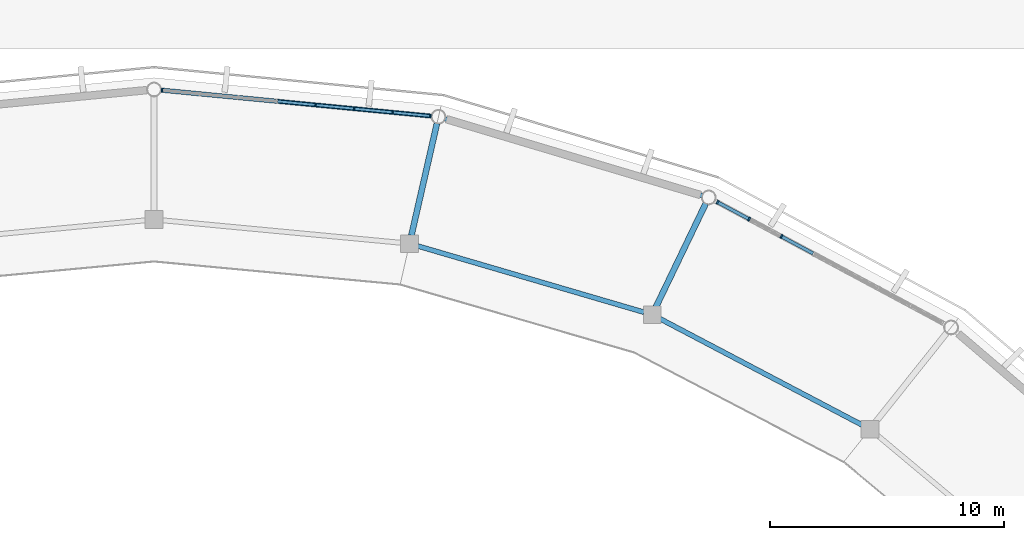
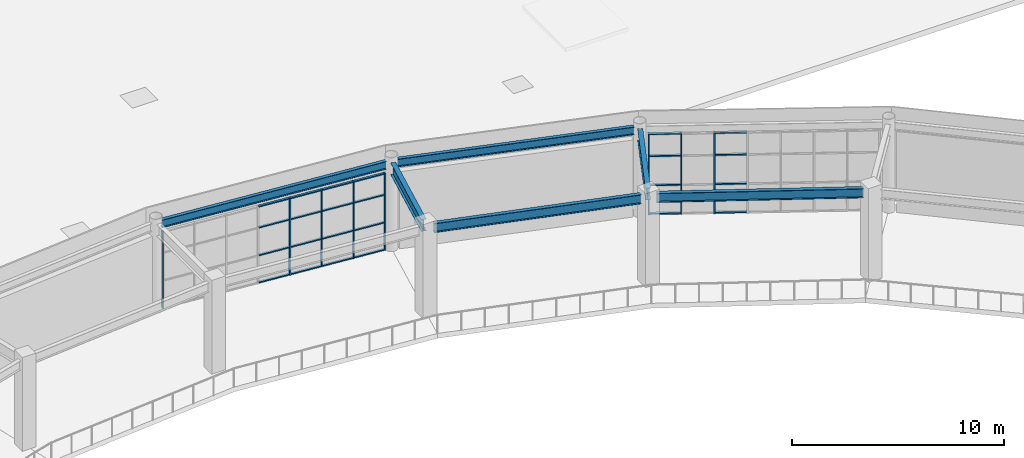
# One storey, part 31 of 70: 32 members, 6 beams, 2 elements without a shape of their own.
"""IFC4 building model written with IfcOpenShell, lengths in metres."""

from ifc_helpers import new_model, si_unit, direction, frame, origin, origin_2d, place, context, subcontext, project, spatial, rectangle, i_section, extrude, material, material_profile, profile_set, type_object, element, aggregate, save


model = new_model("IFC4")

# Units and contexts
model_context = context("Model", 3, precision=1e-05, world=origin(), true_north=direction((0.0, 1.0)))
body_context = subcontext(model_context, "Body", "Model", "MODEL_VIEW")
ifc_project = project(units=[si_unit("LENGTHUNIT", "METRE"), si_unit("AREAUNIT", "SQUARE_METRE"), si_unit("VOLUMEUNIT", "CUBIC_METRE"), si_unit("PLANEANGLEUNIT", "RADIAN"), si_unit("MASSUNIT", "GRAM", prefix="KILO")], contexts=[model_context])

# Site, building, storey
site_placement = place(None, origin())
site = spatial("IfcSite", under=ifc_project, at=site_placement, CompositionType="ELEMENT")
building_placement = place(site_placement, origin())
building = spatial("IfcBuilding", under=site, at=building_placement, Name="Cuetzalor Civic Arena", CompositionType="ELEMENT")
storey_placement = place(building_placement, frame((0.0, 0.0, 21.0)))
storey = spatial("IfcBuildingStorey", under=building, at=storey_placement, Name="L04", CompositionType="ELEMENT", Elevation=21.0)

# Curtain wall, members
ifc_material_1 = material(Name="Anodised dark bronze aluminium and low-E solar glass", Category="aluminium")
curtain_wall_type_1 = type_object("IfcCurtainWallType", Name="UnitisedCW_11550x4450", PredefinedType="USERDEFINED", material=ifc_material_1)
curtain_wall_1_placement = place(storey_placement, origin())
curtain_wall_1 = element("IfcCurtainWall", 1, at=curtain_wall_1_placement, inside=storey, type_object=curtain_wall_type_1, Name="Drum Triangle Foyer Curtain Wall L04-059", ObjectType="UNITISED CURTAIN WALL", PredefinedType="USERDEFINED")
ifc_material_2 = material(Name="Anodised dark bronze aluminium", Category="aluminium")
ifc_material_profile_1 = material_profile(ifc_material_2, rectangle(XDim=0.06494140625, YDim=0.14990234375, at=origin_2d()), Name="ALU MULLION 65x150")
ifc_profile_set_1 = profile_set([ifc_material_profile_1], Name="Anodised dark bronze aluminium")
member_type_1 = type_object("IfcMemberType", Name="CurtainWallMullion_60x150", PredefinedType="MULLION", material=ifc_profile_set_1)
member_1_placement = place(storey_placement, frame((0.345703125, 46.516845703125, 0.0), z_axis=(0.0, 0.0, 1.0), x_axis=(0.995409139996, -0.095711253324, 0.0)))
member_1 = element("IfcMember", 2, at=member_1_placement, type_object=member_type_1, Name="CW-08 mullion 1", PredefinedType="MULLION", context=body_context, shape_type="SweptSolid", body=[
    extrude(rectangle(XDim=0.06494140625, YDim=0.14990234375, at=origin_2d()), origin(), (0.0, 0.0, 1.0), 4.431884765625),
])
member_2_placement = place(storey_placement, frame((6.8916015625, 45.887451171875, 0.0), z_axis=(0.0, 0.0, 1.0), x_axis=(0.995409139996, -0.095711253324, 0.0)))
member_2 = element("IfcMember", 3, at=member_2_placement, type_object=member_type_1, Name="CW-08 mullion 5", PredefinedType="MULLION", context=body_context, shape_type="SweptSolid", body=[
    extrude(rectangle(XDim=0.06494140625, YDim=0.14990234375, at=origin_2d()), origin(), (0.0, 0.0, 1.0), 4.431884765625),
])
member_3_placement = place(storey_placement, frame((8.5361328125, 45.729248046875, 0.0), z_axis=(0.0, 0.0, 1.0), x_axis=(0.995409139996, -0.095711253324, 0.0)))
member_3 = element("IfcMember", 4, at=member_3_placement, type_object=member_type_1, Name="CW-08 mullion 6", PredefinedType="MULLION", context=body_context, shape_type="SweptSolid", body=[
    extrude(rectangle(XDim=0.06494140625, YDim=0.14990234375, at=origin_2d()), origin(), (0.0, 0.0, 1.0), 4.431884765625),
])
member_4_placement = place(storey_placement, frame((10.1806640625, 45.571044921875, 0.0), z_axis=(0.0, 0.0, 1.0), x_axis=(0.995409139996, -0.095711253324, 0.0)))
member_4 = element("IfcMember", 5, at=member_4_placement, type_object=member_type_1, Name="CW-08 mullion 7", PredefinedType="MULLION", context=body_context, shape_type="SweptSolid", body=[
    extrude(rectangle(XDim=0.06494140625, YDim=0.14990234375, at=origin_2d()), origin(), (0.0, 0.0, 1.0), 4.431884765625),
])
member_5_placement = place(storey_placement, frame((11.79296875, 45.416015625, 0.0), z_axis=(0.0, 0.0, 1.0), x_axis=(0.995409139996, -0.095711253324, 0.0)))
member_5 = element("IfcMember", 6, at=member_5_placement, type_object=member_type_1, Name="CW-08 mullion 8", PredefinedType="MULLION", context=body_context, shape_type="SweptSolid", body=[
    extrude(rectangle(XDim=0.06494140625, YDim=0.14990234375, at=origin_2d()), origin(), (0.0, 0.0, 1.0), 4.431884765625),
])

ifc_material_3 = material(Name="Anodised dark bronze aluminium and low-E solar glass", Category="aluminium")
curtain_wall_type_2 = type_object("IfcCurtainWallType", Name="UnitisedCW_10950x4650", PredefinedType="USERDEFINED", material=ifc_material_3)
curtain_wall_2_placement = place(storey_placement, origin())
curtain_wall_2 = element("IfcCurtainWall", 7, at=curtain_wall_2_placement, inside=storey, type_object=curtain_wall_type_2, Name="Drum Triangle Foyer Curtain Wall L04-058", ObjectType="UNITISED CURTAIN WALL", PredefinedType="USERDEFINED")
ifc_material_4 = material(Name="Anodised dark bronze aluminium", Category="aluminium")
ifc_material_profile_2 = material_profile(ifc_material_4, rectangle(XDim=0.070068359375, YDim=0.179931640625, at=origin_2d()), Name="ALU MULLION 70x180")
ifc_profile_set_2 = profile_set([ifc_material_profile_2], Name="Anodised dark bronze aluminium")
member_type_2 = type_object("IfcMemberType", Name="CurtainWallMullion_65x180", PredefinedType="MULLION", material=ifc_profile_set_2)
member_6_placement = place(storey_placement, frame((24.04736328125, 41.737060546875, 0.0), z_axis=(0.0, 0.0, 1.0), x_axis=(0.881306344124, -0.472545371163, 0.0)))
member_6 = element("IfcMember", 8, at=member_6_placement, type_object=member_type_2, Name="CW-07 mullion 1", PredefinedType="MULLION", context=body_context, shape_type="SweptSolid", body=[
    extrude(rectangle(XDim=0.070068359375, YDim=0.179931640625, at=origin_2d()), origin(), (0.0, 0.0, 1.0), 4.653076171875),
])
member_7_placement = place(storey_placement, frame((25.39453125, 41.0146484375, 0.0), z_axis=(0.0, 0.0, 1.0), x_axis=(0.881306344124, -0.472545371163, 0.0)))
member_7 = element("IfcMember", 9, at=member_7_placement, type_object=member_type_2, Name="CW-07 mullion 2", PredefinedType="MULLION", context=body_context, shape_type="SweptSolid", body=[
    extrude(rectangle(XDim=0.070068359375, YDim=0.179931640625, at=origin_2d()), origin(), (0.0, 0.0, 1.0), 4.653076171875),
])
member_8_placement = place(storey_placement, frame((26.772705078125, 40.275634765625, 0.0), z_axis=(0.0, 0.0, 1.0), x_axis=(0.881306344124, -0.472545371163, 0.0)))
member_8 = element("IfcMember", 10, at=member_8_placement, type_object=member_type_2, Name="CW-07 mullion 3", PredefinedType="MULLION", context=body_context, shape_type="SweptSolid", body=[
    extrude(rectangle(XDim=0.070068359375, YDim=0.179931640625, at=origin_2d()), origin(), (0.0, 0.0, 1.0), 4.653076171875),
])

# Member
ifc_material_5 = material(Name="Anodised dark bronze aluminium", Category="aluminium")
ifc_material_profile_3 = material_profile(ifc_material_5, rectangle(XDim=0.1201171875, YDim=0.06494140625, at=origin_2d()), Name="ALU TRANSOM 65x120")
ifc_profile_set_3 = profile_set([ifc_material_profile_3], Name="Anodised dark bronze aluminium")
member_type_3 = type_object("IfcMemberType", Name="CurtainWallTransom_60x120", PredefinedType="USERDEFINED", material=ifc_profile_set_3)
member_9_placement = place(storey_placement, frame((5.279296875, 46.04248046875, 0.032470703125), z_axis=(0.9953974667, -0.095832579471, 0.0), x_axis=(0.095832579471, 0.9953974667, 0.0)))
member_9 = element("IfcMember", 11, at=member_9_placement, type_object=member_type_3, Name="CW-08 transom 4.1", ObjectType="TRANSOM", PredefinedType="USERDEFINED", context=body_context, shape_type="SweptSolid", body=[
    extrude(rectangle(XDim=0.1201171875, YDim=0.06494140625, at=origin_2d()), origin(), (0.0, 0.0, 1.0), 1.587158203125),
])

member_10_placement = place(storey_placement, frame((5.279296875, 46.04248046875, 1.595947265625), z_axis=(0.9953974667, -0.095832579471, 0.0), x_axis=(0.095832579471, 0.9953974667, 0.0)))
member_10 = element("IfcMember", 12, at=member_10_placement, type_object=member_type_3, Name="CW-08 transom 4.2", ObjectType="TRANSOM", PredefinedType="USERDEFINED", context=body_context, shape_type="SweptSolid", body=[
    extrude(rectangle(XDim=0.1201171875, YDim=0.06494140625, at=origin_2d()), origin(), (0.0, 0.0, 1.0), 1.587158203125),
])

member_11_placement = place(storey_placement, frame((5.279296875, 46.04248046875, 3.19091796875), z_axis=(0.9953974667, -0.095832579471, 0.0), x_axis=(0.095832579471, 0.9953974667, 0.0)))
member_11 = element("IfcMember", 13, at=member_11_placement, type_object=member_type_3, Name="CW-08 transom 4.3", ObjectType="TRANSOM", PredefinedType="USERDEFINED", context=body_context, shape_type="SweptSolid", body=[
    extrude(rectangle(XDim=0.1201171875, YDim=0.06494140625, at=origin_2d()), origin(), (0.0, 0.0, 1.0), 1.587158203125),
])

member_12_placement = place(storey_placement, frame((5.279296875, 46.04248046875, 4.3994140625), z_axis=(0.9953974667, -0.095832579471, 0.0), x_axis=(0.095832579471, 0.9953974667, 0.0)))
member_12 = element("IfcMember", 14, at=member_12_placement, type_object=member_type_3, Name="CW-08 transom 4.4", ObjectType="TRANSOM", PredefinedType="USERDEFINED", context=body_context, shape_type="SweptSolid", body=[
    extrude(rectangle(XDim=0.1201171875, YDim=0.06494140625, at=origin_2d()), origin(), (0.0, 0.0, 1.0), 1.587158203125),
])

member_13_placement = place(storey_placement, frame((6.923828125, 45.88427734375, 0.032470703125), z_axis=(0.995412128785, -0.095680164442, 0.0), x_axis=(0.095680164442, 0.995412128785, 0.0)))
member_13 = element("IfcMember", 15, at=member_13_placement, type_object=member_type_3, Name="CW-08 transom 5.1", ObjectType="TRANSOM", PredefinedType="USERDEFINED", context=body_context, shape_type="SweptSolid", body=[
    extrude(rectangle(XDim=0.1201171875, YDim=0.06494140625, at=origin_2d()), origin(), (0.0, 0.0, 1.0), 1.587158203125),
])

member_14_placement = place(storey_placement, frame((6.923828125, 45.88427734375, 1.595947265625), z_axis=(0.995412128785, -0.095680164442, 0.0), x_axis=(0.095680164442, 0.995412128785, 0.0)))
member_14 = element("IfcMember", 16, at=member_14_placement, type_object=member_type_3, Name="CW-08 transom 5.2", ObjectType="TRANSOM", PredefinedType="USERDEFINED", context=body_context, shape_type="SweptSolid", body=[
    extrude(rectangle(XDim=0.1201171875, YDim=0.06494140625, at=origin_2d()), origin(), (0.0, 0.0, 1.0), 1.587158203125),
])

member_15_placement = place(storey_placement, frame((6.923828125, 45.88427734375, 3.19091796875), z_axis=(0.995412128785, -0.095680164442, 0.0), x_axis=(0.095680164442, 0.995412128785, 0.0)))
member_15 = element("IfcMember", 17, at=member_15_placement, type_object=member_type_3, Name="CW-08 transom 5.3", ObjectType="TRANSOM", PredefinedType="USERDEFINED", context=body_context, shape_type="SweptSolid", body=[
    extrude(rectangle(XDim=0.1201171875, YDim=0.06494140625, at=origin_2d()), origin(), (0.0, 0.0, 1.0), 1.587158203125),
])

member_16_placement = place(storey_placement, frame((6.923828125, 45.88427734375, 4.3994140625), z_axis=(0.995412128785, -0.095680164442, 0.0), x_axis=(0.095680164442, 0.995412128785, 0.0)))
member_16 = element("IfcMember", 18, at=member_16_placement, type_object=member_type_3, Name="CW-08 transom 5.4", ObjectType="TRANSOM", PredefinedType="USERDEFINED", context=body_context, shape_type="SweptSolid", body=[
    extrude(rectangle(XDim=0.1201171875, YDim=0.06494140625, at=origin_2d()), origin(), (0.0, 0.0, 1.0), 1.587158203125),
])

member_17_placement = place(storey_placement, frame((8.568359375, 45.72607421875, 0.032470703125), z_axis=(0.995412128785, -0.095680164442, 0.0), x_axis=(0.095680164442, 0.995412128785, 0.0)))
member_17 = element("IfcMember", 19, at=member_17_placement, type_object=member_type_3, Name="CW-08 transom 6.1", ObjectType="TRANSOM", PredefinedType="USERDEFINED", context=body_context, shape_type="SweptSolid", body=[
    extrude(rectangle(XDim=0.1201171875, YDim=0.06494140625, at=origin_2d()), origin(), (0.0, 0.0, 1.0), 1.587158203125),
])

member_18_placement = place(storey_placement, frame((8.568359375, 45.72607421875, 1.595947265625), z_axis=(0.995412128785, -0.095680164442, 0.0), x_axis=(0.095680164442, 0.995412128785, 0.0)))
member_18 = element("IfcMember", 20, at=member_18_placement, type_object=member_type_3, Name="CW-08 transom 6.2", ObjectType="TRANSOM", PredefinedType="USERDEFINED", context=body_context, shape_type="SweptSolid", body=[
    extrude(rectangle(XDim=0.1201171875, YDim=0.06494140625, at=origin_2d()), origin(), (0.0, 0.0, 1.0), 1.587158203125),
])

member_19_placement = place(storey_placement, frame((8.568359375, 45.72607421875, 3.19091796875), z_axis=(0.995412128785, -0.095680164442, 0.0), x_axis=(0.095680164442, 0.995412128785, 0.0)))
member_19 = element("IfcMember", 21, at=member_19_placement, type_object=member_type_3, Name="CW-08 transom 6.3", ObjectType="TRANSOM", PredefinedType="USERDEFINED", context=body_context, shape_type="SweptSolid", body=[
    extrude(rectangle(XDim=0.1201171875, YDim=0.06494140625, at=origin_2d()), origin(), (0.0, 0.0, 1.0), 1.587158203125),
])

member_20_placement = place(storey_placement, frame((8.568359375, 45.72607421875, 4.3994140625), z_axis=(0.995412128785, -0.095680164442, 0.0), x_axis=(0.095680164442, 0.995412128785, 0.0)))
member_20 = element("IfcMember", 22, at=member_20_placement, type_object=member_type_3, Name="CW-08 transom 6.4", ObjectType="TRANSOM", PredefinedType="USERDEFINED", context=body_context, shape_type="SweptSolid", body=[
    extrude(rectangle(XDim=0.1201171875, YDim=0.06494140625, at=origin_2d()), origin(), (0.0, 0.0, 1.0), 1.587158203125),
])

member_21_placement = place(storey_placement, frame((10.212890625, 45.568115234375, 0.032470703125), z_axis=(0.995401833719, -0.095787209113, 0.0), x_axis=(0.095787209113, 0.995401833719, 0.0)))
member_21 = element("IfcMember", 23, at=member_21_placement, type_object=member_type_3, Name="CW-08 transom 7.1", ObjectType="TRANSOM", PredefinedType="USERDEFINED", context=body_context, shape_type="SweptSolid", body=[
    extrude(rectangle(XDim=0.1201171875, YDim=0.06494140625, at=origin_2d()), origin(), (0.0, 0.0, 1.0), 1.5546875),
])

member_22_placement = place(storey_placement, frame((10.212890625, 45.568115234375, 1.595947265625), z_axis=(0.995401833719, -0.095787209113, 0.0), x_axis=(0.095787209113, 0.995401833719, 0.0)))
member_22 = element("IfcMember", 24, at=member_22_placement, type_object=member_type_3, Name="CW-08 transom 7.2", ObjectType="TRANSOM", PredefinedType="USERDEFINED", context=body_context, shape_type="SweptSolid", body=[
    extrude(rectangle(XDim=0.1201171875, YDim=0.06494140625, at=origin_2d()), origin(), (0.0, 0.0, 1.0), 1.5546875),
])

member_23_placement = place(storey_placement, frame((10.212890625, 45.568115234375, 3.19091796875), z_axis=(0.995401833719, -0.095787209113, 0.0), x_axis=(0.095787209113, 0.995401833719, 0.0)))
member_23 = element("IfcMember", 25, at=member_23_placement, type_object=member_type_3, Name="CW-08 transom 7.3", ObjectType="TRANSOM", PredefinedType="USERDEFINED", context=body_context, shape_type="SweptSolid", body=[
    extrude(rectangle(XDim=0.1201171875, YDim=0.06494140625, at=origin_2d()), origin(), (0.0, 0.0, 1.0), 1.5546875),
])

member_24_placement = place(storey_placement, frame((10.212890625, 45.568115234375, 4.3994140625), z_axis=(0.995401833719, -0.095787209113, 0.0), x_axis=(0.095787209113, 0.995401833719, 0.0)))
member_24 = element("IfcMember", 26, at=member_24_placement, type_object=member_type_3, Name="CW-08 transom 7.4", ObjectType="TRANSOM", PredefinedType="USERDEFINED", context=body_context, shape_type="SweptSolid", body=[
    extrude(rectangle(XDim=0.1201171875, YDim=0.06494140625, at=origin_2d()), origin(), (0.0, 0.0, 1.0), 1.5546875),
])

aggregate(curtain_wall_1, [member_1, member_2, member_3, member_4, member_5, member_9, member_10, member_11, member_12, member_13, member_14, member_15, member_16, member_17, member_18, member_19, member_20, member_21, member_22, member_23, member_24])

ifc_material_6 = material(Name="Anodised dark bronze aluminium", Category="aluminium")
ifc_material_profile_4 = material_profile(ifc_material_6, rectangle(XDim=0.139892578125, YDim=0.070068359375, at=origin_2d()), Name="ALU TRANSOM 70x140")
ifc_profile_set_4 = profile_set([ifc_material_profile_4], Name="Anodised dark bronze aluminium")
member_type_4 = type_object("IfcMemberType", Name="CurtainWallTransom_65x140", PredefinedType="USERDEFINED", material=ifc_profile_set_4)
member_25_placement = place(storey_placement, frame((24.078125, 41.720458984375, 0.034912109375), z_axis=(0.881275880815, -0.472602181432, 0.0), x_axis=(0.472602181432, 0.881275880815, 0.0)))
member_25 = element("IfcMember", 27, at=member_25_placement, type_object=member_type_4, Name="CW-07 transom 1.1", ObjectType="TRANSOM", PredefinedType="USERDEFINED", context=body_context, shape_type="SweptSolid", body=[
    extrude(rectangle(XDim=0.139892578125, YDim=0.070068359375, at=origin_2d()), origin(), (0.0, 0.0, 1.0), 1.458740234375),
])

member_26_placement = place(storey_placement, frame((24.078125, 41.720458984375, 1.675048828125), z_axis=(0.881275880815, -0.472602181432, 0.0), x_axis=(0.472602181432, 0.881275880815, 0.0)))
member_26 = element("IfcMember", 28, at=member_26_placement, type_object=member_type_4, Name="CW-07 transom 1.2", ObjectType="TRANSOM", PredefinedType="USERDEFINED", context=body_context, shape_type="SweptSolid", body=[
    extrude(rectangle(XDim=0.139892578125, YDim=0.070068359375, at=origin_2d()), origin(), (0.0, 0.0, 1.0), 1.458740234375),
])

member_27_placement = place(storey_placement, frame((24.078125, 41.720458984375, 3.35009765625), z_axis=(0.881275880815, -0.472602181432, 0.0), x_axis=(0.472602181432, 0.881275880815, 0.0)))
member_27 = element("IfcMember", 29, at=member_27_placement, type_object=member_type_4, Name="CW-07 transom 1.3", ObjectType="TRANSOM", PredefinedType="USERDEFINED", context=body_context, shape_type="SweptSolid", body=[
    extrude(rectangle(XDim=0.139892578125, YDim=0.070068359375, at=origin_2d()), origin(), (0.0, 0.0, 1.0), 1.458740234375),
])

member_28_placement = place(storey_placement, frame((24.078125, 41.720458984375, 4.617919921875), z_axis=(0.881275880815, -0.472602181432, 0.0), x_axis=(0.472602181432, 0.881275880815, 0.0)))
member_28 = element("IfcMember", 30, at=member_28_placement, type_object=member_type_4, Name="CW-07 transom 1.4", ObjectType="TRANSOM", PredefinedType="USERDEFINED", context=body_context, shape_type="SweptSolid", body=[
    extrude(rectangle(XDim=0.139892578125, YDim=0.070068359375, at=origin_2d()), origin(), (0.0, 0.0, 1.0), 1.458740234375),
])

member_29_placement = place(storey_placement, frame((26.803466796875, 40.259033203125, 0.034912109375), z_axis=(0.881314685602, -0.472529813812, 0.0), x_axis=(0.472529813812, 0.881314685602, 0.0)))
member_29 = element("IfcMember", 31, at=member_29_placement, type_object=member_type_4, Name="CW-07 transom 3.1", ObjectType="TRANSOM", PredefinedType="USERDEFINED", context=body_context, shape_type="SweptSolid", body=[
    extrude(rectangle(XDim=0.139892578125, YDim=0.070068359375, at=origin_2d()), origin(), (0.0, 0.0, 1.0), 1.49365234375),
])

member_30_placement = place(storey_placement, frame((26.803466796875, 40.259033203125, 1.675048828125), z_axis=(0.881314685602, -0.472529813812, 0.0), x_axis=(0.472529813812, 0.881314685602, 0.0)))
member_30 = element("IfcMember", 32, at=member_30_placement, type_object=member_type_4, Name="CW-07 transom 3.2", ObjectType="TRANSOM", PredefinedType="USERDEFINED", context=body_context, shape_type="SweptSolid", body=[
    extrude(rectangle(XDim=0.139892578125, YDim=0.070068359375, at=origin_2d()), origin(), (0.0, 0.0, 1.0), 1.49365234375),
])

member_31_placement = place(storey_placement, frame((26.803466796875, 40.259033203125, 3.35009765625), z_axis=(0.881314685602, -0.472529813812, 0.0), x_axis=(0.472529813812, 0.881314685602, 0.0)))
member_31 = element("IfcMember", 33, at=member_31_placement, type_object=member_type_4, Name="CW-07 transom 3.3", ObjectType="TRANSOM", PredefinedType="USERDEFINED", context=body_context, shape_type="SweptSolid", body=[
    extrude(rectangle(XDim=0.139892578125, YDim=0.070068359375, at=origin_2d()), origin(), (0.0, 0.0, 1.0), 1.49365234375),
])

member_32_placement = place(storey_placement, frame((26.803466796875, 40.259033203125, 4.617919921875), z_axis=(0.881314685602, -0.472529813812, 0.0), x_axis=(0.472529813812, 0.881314685602, 0.0)))
member_32 = element("IfcMember", 34, at=member_32_placement, type_object=member_type_4, Name="CW-07 transom 3.4", ObjectType="TRANSOM", PredefinedType="USERDEFINED", context=body_context, shape_type="SweptSolid", body=[
    extrude(rectangle(XDim=0.139892578125, YDim=0.070068359375, at=origin_2d()), origin(), (0.0, 0.0, 1.0), 1.49365234375),
])

aggregate(curtain_wall_2, [member_6, member_7, member_8, member_25, member_26, member_27, member_28, member_29, member_30, member_31, member_32])

# Beams
ifc_material_7 = material(Name="Steel S355", Category="steel")
ifc_material_profile_5 = material_profile(ifc_material_7, i_section(OverallWidth=0.18994140625, OverallDepth=0.45703125, WebThickness=0.009033203125, FlangeThickness=0.014404296875, at=origin_2d()), Name="W460x74")
ifc_profile_set_5 = profile_set([ifc_material_profile_5], Name="Steel S355")
beam_type_1 = type_object("IfcBeamType", Name="FacadeSpandrelBeam_W460", PredefinedType="SPANDREL", material=ifc_profile_set_5)
beam_1_placement = place(storey_placement, frame((23.390380859375, 42.023193359375, 4.8916015625), z_axis=(-0.958199215373, 0.28610184141, 0.0), x_axis=(-0.28610184141, -0.958199215373, 0.0)))
element("IfcBeam", 35, at=beam_1_placement, inside=storey, type_object=beam_type_1, Name="Drum Perimeter Spandrel L04-S06", PredefinedType="SPANDREL", context=body_context, shape_type="SweptSolid", body=[
    extrude(i_section(OverallWidth=0.18994140625, OverallDepth=0.45703125, WebThickness=0.009033203125, FlangeThickness=0.014404296875, at=origin_2d()), origin(), (0.0, 0.0, 1.0), 11.45263671875),
])
beam_2_placement = place(storey_placement, frame((11.849853515625, 45.41064453125, 4.8916015625), z_axis=(-0.995409568272, 0.095706799095, 0.0), x_axis=(-0.095706799095, -0.995409568272, 0.0)))
element("IfcBeam", 36, at=beam_2_placement, inside=storey, type_object=beam_type_1, Name="Drum Perimeter Spandrel L04-S07", PredefinedType="SPANDREL", context=body_context, shape_type="SweptSolid", body=[
    extrude(i_section(OverallWidth=0.18994140625, OverallDepth=0.45703125, WebThickness=0.009033203125, FlangeThickness=0.014404296875, at=origin_2d()), origin(), (0.0, 0.0, 1.0), 11.6142578125),
])
ifc_material_8 = material(Name="Steel S355", Category="steel")
ifc_material_profile_6 = material_profile(ifc_material_8, i_section(OverallWidth=0.208984375, OverallDepth=0.532958984375, WebThickness=0.01025390625, FlangeThickness=0.015625, at=origin_2d()), Name="W530x92")
ifc_profile_set_6 = profile_set([ifc_material_profile_6], Name="Steel S355")
beam_type_2 = type_object("IfcBeamType", Name="SteelCollarGirder_W530", PredefinedType="BEAM", material=ifc_profile_set_6)
beam_3_placement = place(storey_placement, frame((30.223388671875, 32.227294921875, 4.853515625), z_axis=(-0.885117354883, 0.465367884673, 0.0), x_axis=(-0.465367884673, -0.885117354883, 0.0)))
element("IfcBeam", 37, at=beam_3_placement, inside=storey, type_object=beam_type_2, Name="Drum Concourse Ring Girder L04-S05", PredefinedType="BEAM", context=body_context, shape_type="SweptSolid", body=[
    extrude(i_section(OverallWidth=0.208984375, OverallDepth=0.532958984375, WebThickness=0.01025390625, FlangeThickness=0.015625, at=origin_2d()), origin(), (0.0, 0.0, 1.0), 9.75634765625),
])
beam_4_placement = place(storey_placement, frame((20.9052734375, 37.043701171875, 4.853515625), z_axis=(-0.959716323112, 0.280970779889, 0.0), x_axis=(-0.280970779889, -0.959716323112, 0.0)))
element("IfcBeam", 38, at=beam_4_placement, inside=storey, type_object=beam_type_2, Name="Drum Concourse Ring Girder L04-S06", PredefinedType="BEAM", context=body_context, shape_type="SweptSolid", body=[
    extrude(i_section(OverallWidth=0.208984375, OverallDepth=0.532958984375, WebThickness=0.01025390625, FlangeThickness=0.015625, at=origin_2d()), origin(), (0.0, 0.0, 1.0), 10.0517578125),
])
ifc_material_9 = material(Name="Steel S355", Category="steel")
ifc_material_profile_7 = material_profile(ifc_material_9, i_section(OverallWidth=0.2529296875, OverallDepth=0.677978515625, WebThickness=0.01171875, FlangeThickness=0.016357421875, at=origin_2d()), Name="W690x125")
ifc_profile_set_7 = profile_set([ifc_material_profile_7], Name="Steel S355")
beam_type_3 = type_object("IfcBeamType", Name="SteelPrimaryGirder_W690", PredefinedType="BEAM", material=ifc_profile_set_7)
for number, where, z_axis, x_axis, name in (
    (39, (21.41650390625, 37.263916015625, 4.781005859375), (0.433871046232, 0.900974980364, 0.0), (-0.900974980364, 0.433871046232, 0.0), "Drum Radial Girder L04-R06"),
    (40, (10.983642578125, 40.322998046875, 4.781005859375), (0.222519036633, 0.974928345231, 0.0), (-0.974928345231, 0.222519036633, 0.0), "Drum Radial Girder L04-R07"),
):
    element("IfcBeam", number, at=place(storey_placement, frame(where, z_axis=z_axis, x_axis=x_axis)), inside=storey, type_object=beam_type_3, Name=name, PredefinedType="BEAM", context=body_context, shape_type="SweptSolid", body=[
        extrude(i_section(OverallWidth=0.2529296875, OverallDepth=0.677978515625, WebThickness=0.01171875, FlangeThickness=0.016357421875, at=origin_2d()), origin(), (0.0, 0.0, 1.0), 4.89990234375),
    ])

save(model, "model.ifc")
